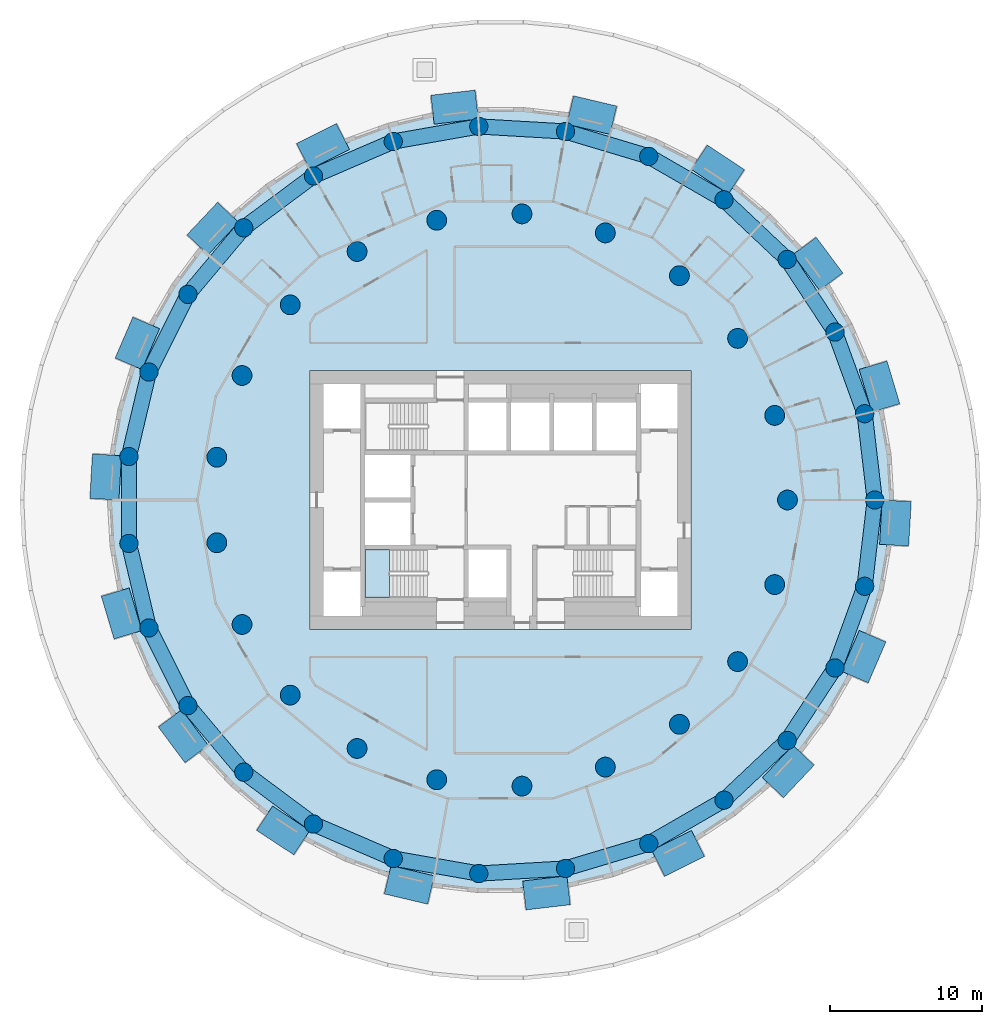
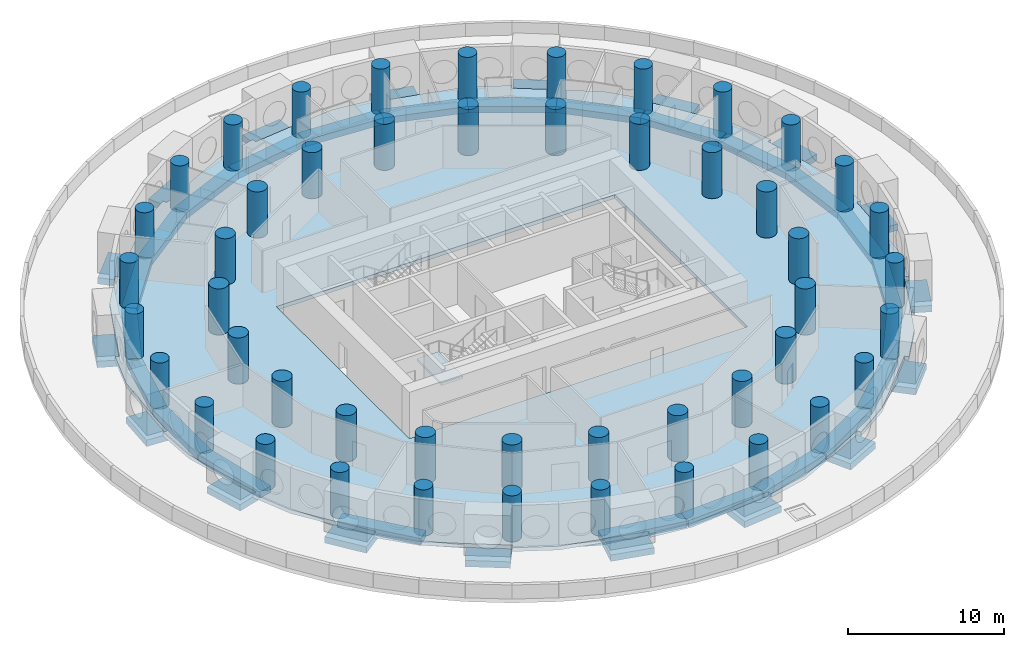
# One storey, part 1 of 13: 48 columns, 45 beams, 2 slabs, 1 element without a shape of its own.
"""IFC4 building model written with IfcOpenShell, lengths in metres."""

from ifc_helpers import new_model, si_unit, direction, frame, origin, origin_2d, place, context, subcontext, project, spatial, polyline, rectangle, circle, outline, extrude, material, layer, layer_set, material_profile, profile_set, type_object, element, aggregate, save


model = new_model("IFC4")

# Units and contexts
model_context = context("Model", 3, precision=1e-05, world=origin(), true_north=direction((0.0, 1.0)))
body_context = subcontext(model_context, "Body", "Model", "MODEL_VIEW")
ifc_project = project(units=[si_unit("LENGTHUNIT", "METRE"), si_unit("AREAUNIT", "SQUARE_METRE"), si_unit("VOLUMEUNIT", "CUBIC_METRE"), si_unit("PLANEANGLEUNIT", "RADIAN"), si_unit("MASSUNIT", "GRAM", prefix="KILO")], contexts=[model_context])

# Site, building, storey
site_placement = place(None, origin())
site = spatial("IfcSite", under=ifc_project, at=site_placement, CompositionType="ELEMENT")
building_placement = place(site_placement, origin())
building = spatial("IfcBuilding", under=site, at=building_placement, Name="Tracery Tower", CompositionType="ELEMENT")
storey_placement = place(building_placement, frame((0.0, 0.0, 126.0)))
storey = spatial("IfcBuildingStorey", under=building, at=storey_placement, Name="L31", CompositionType="ELEMENT", Elevation=126.0)

# Columns
ifc_material_1 = material(Name="Concrete C50/60", Category="concrete")
ifc_material_profile_1 = material_profile(ifc_material_1, circle(Radius=0.60009765625, at=origin_2d()), Name="RC D1200")
ifc_profile_set_1 = profile_set([ifc_material_profile_1], Name="Concrete C50/60")
column_type_1 = type_object("IfcColumnType", Name="Ring 1 column 1200", PredefinedType="COLUMN", material=ifc_profile_set_1)
for number, where, z_axis, x_axis, name in (
    (1, (24.547607421875, 0.0, 0.0), (0.0, 0.0, 1.0), (1.0, 0.0, 0.0), "Ring 1 column 00 at L31"),
    (2, (23.885986328125, 5.6611328125, 0.0), (0.0, 0.0, 1.0), (1.0, 0.0, 0.0), "Ring 1 column 01 at L31"),
    (3, (21.9365234375, 11.01708984375, 0.0), (0.0, 0.0, 1.0), (1.0, 0.0, 0.0), "Ring 1 column 02 at L31"),
    (4, (18.8046875, 15.779052734375, 0.0), (0.0, 0.0, 1.0), (1.0, 0.0, 0.0), "Ring 1 column 03 at L31"),
    (5, (14.658935546875, 19.690185546875, 0.0), (0.0, 0.0, 1.0), (1.0, 0.0, 0.0), "Ring 1 column 04 at L31"),
    (6, (9.722900390625, 22.5400390625, 0.0), (0.0, 0.0, 1.0), (1.0, 0.0, 0.0), "Ring 1 column 05 at L31"),
    (7, (4.2626953125, 24.1748046875, 0.0), (0.0, 0.0, 1.0), (1.0, 0.0, 0.0), "Ring 1 column 06 at L31"),
    (8, (-1.42724609375, 24.506103515625, 0.0), (0.0, 0.0, 1.0), (1.0, 0.0, 0.0), "Ring 1 column 07 at L31"),
    (9, (-7.040283203125, 23.516357421875, 0.0), (0.0, 0.0, 1.0), (1.0, 0.0, 0.0), "Ring 1 column 08 at L31"),
    (10, (-12.273681640625, 21.2587890625, 0.0), (0.0, 0.0, 1.0), (1.0, 0.0, 0.0), "Ring 1 column 09 at L31"),
    (11, (-16.845703125, 17.855224609375, 0.0), (0.0, 0.0, 1.0), (1.0, 0.0, 0.0), "Ring 1 column 10 at L31"),
    (12, (-20.50927734375, 13.4892578125, 0.0), (0.0, 0.0, 1.0), (1.0, 0.0, 0.0), "Ring 1 column 11 at L31"),
    (13, (-23.0673828125, 8.395751953125, 0.0), (0.0, 0.0, 1.0), (1.0, 0.0, 0.0), "Ring 1 column 12 at L31"),
    (14, (-24.381591796875, 2.849853515625, 0.0), (0.0, 0.0, 1.0), (1.0, 0.0, 0.0), "Ring 1 column 13 at L31"),
    (15, (-24.381591796875, -2.849853515625, 0.0), (0.0, 0.0, 1.0), (1.0, 0.0, 0.0), "Ring 1 column 14 at L31"),
    (16, (-23.0673828125, -8.395751953125, 0.0), (0.0, 0.0, 1.0), (1.0, 0.0, 0.0), "Ring 1 column 15 at L31"),
    (17, (-20.50927734375, -13.4892578125, 0.0), (0.0, 0.0, 1.0), (1.0, 0.0, 0.0), "Ring 1 column 16 at L31"),
    (18, (-16.845703125, -17.85546875, 0.0), (0.0, 0.0, 1.0), (1.0, 0.0, 0.0), "Ring 1 column 17 at L31"),
    (19, (-12.27392578125, -21.2587890625, 0.0), (0.0, 0.0, 1.0), (1.0, 0.0, 0.0), "Ring 1 column 18 at L31"),
    (20, (-7.040283203125, -23.516357421875, 0.0), (0.0, 0.0, 1.0), (1.0, 0.0, 0.0), "Ring 1 column 19 at L31"),
    (21, (-1.42724609375, -24.506103515625, 0.0), (0.0, 0.0, 1.0), (1.0, 0.0, 0.0), "Ring 1 column 20 at L31"),
    (22, (4.2626953125, -24.1748046875, 0.0), (0.0, 0.0, 1.0), (1.0, 0.0, 0.0), "Ring 1 column 21 at L31"),
    (23, (9.722900390625, -22.5400390625, 0.0), (0.0, 0.0, 1.0), (1.0, 0.0, 0.0), "Ring 1 column 22 at L31"),
    (24, (14.658935546875, -19.690185546875, 0.0), (0.0, 0.0, 1.0), (1.0, 0.0, 0.0), "Ring 1 column 23 at L31"),
    (25, (18.8046875, -15.779052734375, 0.0), (0.0, 0.0, 1.0), (1.0, 0.0, 0.0), "Ring 1 column 24 at L31"),
    (26, (21.9365234375, -11.01708984375, 0.0), (0.0, 0.0, 1.0), (1.0, 0.0, 0.0), "Ring 1 column 25 at L31"),
    (27, (23.885986328125, -5.6611328125, 0.0), (0.0, 0.0, 1.0), (1.0, 0.0, 0.0), "Ring 1 column 26 at L31"),
):
    element("IfcColumn", number, at=place(storey_placement, frame(where, z_axis=z_axis, x_axis=x_axis)), inside=storey, type_object=column_type_1, Name=name, PredefinedType="COLUMN", context=body_context, shape_type="SweptSolid", body=[
        extrude(circle(Radius=0.60009765625, at=origin_2d()), origin(), (0.0, 0.0, 1.0), 3.60009765625),
    ])
ifc_material_2 = material(Name="Concrete C50/60", Category="concrete")
ifc_material_profile_2 = material_profile(ifc_material_2, circle(Radius=0.64990234375, at=origin_2d()), Name="RC D1300")
ifc_profile_set_2 = profile_set([ifc_material_profile_2], Name="Concrete C50/60")
column_type_2 = type_object("IfcColumnType", Name="Ring 2 column 1300", PredefinedType="COLUMN", material=ifc_profile_set_2)
for number, where, z_axis, x_axis, name in (
    (28, (18.822265625, 0.0, 0.0), (0.0, 0.0, 1.0), (1.0, 0.0, 0.0), "Ring 2 column 00 at L31"),
    (29, (17.986083984375, 5.5478515625, 0.0), (0.0, 0.0, 1.0), (1.0, 0.0, 0.0), "Ring 2 column 01 at L31"),
    (30, (15.551513671875, 10.602783203125, 0.0), (0.0, 0.0, 1.0), (1.0, 0.0, 0.0), "Ring 2 column 02 at L31"),
    (31, (11.7353515625, 14.7158203125, 0.0), (0.0, 0.0, 1.0), (1.0, 0.0, 0.0), "Ring 2 column 03 at L31"),
    (32, (6.87646484375, 17.52099609375, 0.0), (0.0, 0.0, 1.0), (1.0, 0.0, 0.0), "Ring 2 column 04 at L31"),
    (33, (1.406494140625, 18.76953125, 0.0), (0.0, 0.0, 1.0), (1.0, 0.0, 0.0), "Ring 2 column 05 at L31"),
    (34, (-4.188232421875, 18.350341796875, 0.0), (0.0, 0.0, 1.0), (1.0, 0.0, 0.0), "Ring 2 column 06 at L31"),
    (35, (-9.4111328125, 16.300537109375, 0.0), (0.0, 0.0, 1.0), (1.0, 0.0, 0.0), "Ring 2 column 07 at L31"),
    (36, (-13.797607421875, 12.802490234375, 0.0), (0.0, 0.0, 1.0), (1.0, 0.0, 0.0), "Ring 2 column 08 at L31"),
    (37, (-16.958251953125, 8.16650390625, 0.0), (0.0, 0.0, 1.0), (1.0, 0.0, 0.0), "Ring 2 column 09 at L31"),
    (38, (-18.612060546875, 2.805419921875, 0.0), (0.0, 0.0, 1.0), (1.0, 0.0, 0.0), "Ring 2 column 10 at L31"),
    (39, (-18.612060546875, -2.805419921875, 0.0), (0.0, 0.0, 1.0), (1.0, 0.0, 0.0), "Ring 2 column 11 at L31"),
    (40, (-16.958251953125, -8.166748046875, 0.0), (0.0, 0.0, 1.0), (1.0, 0.0, 0.0), "Ring 2 column 12 at L31"),
    (41, (-13.797607421875, -12.80224609375, 0.0), (0.0, 0.0, 1.0), (1.0, 0.0, 0.0), "Ring 2 column 13 at L31"),
    (42, (-9.4111328125, -16.300537109375, 0.0), (0.0, 0.0, 1.0), (1.0, 0.0, 0.0), "Ring 2 column 14 at L31"),
    (43, (-4.188232421875, -18.350341796875, 0.0), (0.0, 0.0, 1.0), (1.0, 0.0, 0.0), "Ring 2 column 15 at L31"),
    (44, (1.406494140625, -18.76953125, 0.0), (0.0, 0.0, 1.0), (1.0, 0.0, 0.0), "Ring 2 column 16 at L31"),
    (45, (6.87646484375, -17.52099609375, 0.0), (0.0, 0.0, 1.0), (1.0, 0.0, 0.0), "Ring 2 column 17 at L31"),
    (46, (11.7353515625, -14.7158203125, 0.0), (0.0, 0.0, 1.0), (1.0, 0.0, 0.0), "Ring 2 column 18 at L31"),
    (47, (15.551513671875, -10.602783203125, 0.0), (0.0, 0.0, 1.0), (1.0, 0.0, 0.0), "Ring 2 column 19 at L31"),
    (48, (17.986083984375, -5.5478515625, 0.0), (0.0, 0.0, 1.0), (1.0, 0.0, 0.0), "Ring 2 column 20 at L31"),
):
    element("IfcColumn", number, at=place(storey_placement, frame(where, z_axis=z_axis, x_axis=x_axis)), inside=storey, type_object=column_type_2, Name=name, PredefinedType="COLUMN", context=body_context, shape_type="SweptSolid", body=[
        extrude(circle(Radius=0.64990234375, at=origin_2d()), origin(), (0.0, 0.0, 1.0), 3.60009765625),
    ])

# Beams
ifc_material_3 = material(Name="Concrete C50/60", Category="concrete")
ifc_material_profile_3 = material_profile(ifc_material_3, rectangle(XDim=1.909912109375, YDim=0.5, at=origin_2d()), Name="RC 1910x500")
ifc_profile_set_3 = profile_set([ifc_material_profile_3], Name="Concrete C50/60")
beam_type_1 = type_object("IfcBeamType", Name="Bay seat beam 1910 x 500", PredefinedType="BEAM", material=ifc_profile_set_3)
beam_1_placement = place(storey_placement, frame((25.277587890625, 6.043701171875, -0.550048828125), z_axis=(-0.286803183854, 0.957989526942, 0.0), x_axis=(-0.957989526942, -0.286803183854, 0.0)))
element("IfcBeam", 49, at=beam_1_placement, inside=storey, type_object=beam_type_1, Name="Bay seat beam 3 at L31", PredefinedType="BEAM", context=body_context, shape_type="SweptSolid", body=[
    extrude(rectangle(XDim=1.909912109375, YDim=0.5, at=origin_2d()), origin(), (0.0, 0.0, 1.0), 2.919677734375),
])
for number, where, z_axis, x_axis, name in (
    (50, (21.686279296875, 14.32470703125, -0.550048828125), (-0.597227237606, 0.802072083208, 0.0), (-0.802072083208, -0.597227237606, 0.0), "Bay seat beam 6 at L31"),
    (51, (15.47900390625, 20.8779296875, -0.550048828125), (-0.83550698432, 0.549479825974, 0.0), (-0.549479825974, -0.83550698432, 0.0), "Bay seat beam 9 at L31"),
    (52, (7.405029296875, 24.912841796875, -0.550048828125), (-0.973049685991, 0.230595551982, 0.0), (-0.230595551982, -0.973049685991, 0.0), "Bay seat beam 12 at L31"),
):
    element("IfcBeam", number, at=place(storey_placement, frame(where, z_axis=z_axis, x_axis=x_axis)), inside=storey, type_object=beam_type_1, Name=name, PredefinedType="BEAM", context=body_context, shape_type="SweptSolid", body=[
        extrude(rectangle(XDim=1.909912109375, YDim=0.5, at=origin_2d()), origin(), (0.0, 0.0, 1.0), 2.919921875),
    ])
beam_2_placement = place(storey_placement, frame((-1.562255859375, 25.943115234375, -0.550048828125), z_axis=(-0.993234239252, -0.11612814464, 0.0), x_axis=(0.11612814464, -0.993234239252, 0.0)))
element("IfcBeam", 53, at=beam_2_placement, inside=storey, type_object=beam_type_1, Name="Bay seat beam 15 at L31", PredefinedType="BEAM", context=body_context, shape_type="SweptSolid", body=[
    extrude(rectangle(XDim=1.909912109375, YDim=0.5, at=origin_2d()), origin(), (0.0, 0.0, 1.0), 2.920166015625),
])
for number, where, z_axis, x_axis, name in (
    (54, (-10.34130859375, 23.84423828125, -0.550048828125), (-0.893623094924, -0.448818186148, 0.0), (0.448818186148, -0.893623094924, 0.0), "Bay seat beam 18 at L31"),
    (55, (-17.872802734375, 18.869384765625, -0.550048828125), (-0.686196220404, -0.727416488061, 0.0), (0.727416488061, -0.686196220404, 0.0), "Bay seat beam 21 at L31"),
    (56, (-23.24853515625, 11.618408203125, -0.550048828125), (-0.39606761336, -0.918221348939, 0.0), (0.918221348939, -0.39606761336, 0.0), "Bay seat beam 24 at L31"),
    (57, (-25.8203125, 2.96630859375, -0.550048828125), (-0.058109347222, -0.998310224212, 0.0), (0.998310224212, -0.058109347222, 0.0), "Bay seat beam 27 at L31"),
):
    element("IfcBeam", number, at=place(storey_placement, frame(where, z_axis=z_axis, x_axis=x_axis)), inside=storey, type_object=beam_type_1, Name=name, PredefinedType="BEAM", context=body_context, shape_type="SweptSolid", body=[
        extrude(rectangle(XDim=1.909912109375, YDim=0.5, at=origin_2d()), origin(), (0.0, 0.0, 1.0), 2.919921875),
    ])
beam_3_placement = place(storey_placement, frame((-25.277587890625, -6.043701171875, -0.550048828125), z_axis=(0.286803183854, -0.957989526942, 0.0), x_axis=(0.957989526942, 0.286803183854, 0.0)))
element("IfcBeam", 58, at=beam_3_placement, inside=storey, type_object=beam_type_1, Name="Bay seat beam 30 at L31", PredefinedType="BEAM", context=body_context, shape_type="SweptSolid", body=[
    extrude(rectangle(XDim=1.909912109375, YDim=0.5, at=origin_2d()), origin(), (0.0, 0.0, 1.0), 2.919677734375),
])
for number, where, z_axis, x_axis, name in (
    (59, (-21.686279296875, -14.32470703125, -0.550048828125), (0.597227237606, -0.802072083208, 0.0), (0.802072083208, 0.597227237606, 0.0), "Bay seat beam 33 at L31"),
    (60, (-15.47900390625, -20.8779296875, -0.550048828125), (0.83550698432, -0.549479825974, 0.0), (0.549479825974, 0.83550698432, 0.0), "Bay seat beam 36 at L31"),
    (61, (-7.405029296875, -24.912841796875, -0.550048828125), (0.973049685991, -0.230595551982, 0.0), (0.230595551982, 0.973049685991, 0.0), "Bay seat beam 39 at L31"),
):
    element("IfcBeam", number, at=place(storey_placement, frame(where, z_axis=z_axis, x_axis=x_axis)), inside=storey, type_object=beam_type_1, Name=name, PredefinedType="BEAM", context=body_context, shape_type="SweptSolid", body=[
        extrude(rectangle(XDim=1.909912109375, YDim=0.5, at=origin_2d()), origin(), (0.0, 0.0, 1.0), 2.919921875),
    ])
beam_4_placement = place(storey_placement, frame((1.562255859375, -25.943115234375, -0.550048828125), z_axis=(0.993234239252, 0.11612814464, 0.0), x_axis=(-0.11612814464, 0.993234239252, 0.0)))
element("IfcBeam", 62, at=beam_4_placement, inside=storey, type_object=beam_type_1, Name="Bay seat beam 42 at L31", PredefinedType="BEAM", context=body_context, shape_type="SweptSolid", body=[
    extrude(rectangle(XDim=1.909912109375, YDim=0.5, at=origin_2d()), origin(), (0.0, 0.0, 1.0), 2.920166015625),
])
for number, where, z_axis, x_axis, name in (
    (63, (10.34130859375, -23.84423828125, -0.550048828125), (0.893623094924, 0.448818186148, 0.0), (-0.448818186148, 0.893623094924, 0.0), "Bay seat beam 45 at L31"),
    (64, (17.872802734375, -18.869384765625, -0.550048828125), (0.686196220404, 0.727416488061, 0.0), (-0.727416488061, 0.686196220404, 0.0), "Bay seat beam 48 at L31"),
    (65, (23.24853515625, -11.618408203125, -0.550048828125), (0.39606761336, 0.918221348939, 0.0), (-0.918221348939, 0.39606761336, 0.0), "Bay seat beam 51 at L31"),
    (66, (25.8203125, -2.96630859375, -0.550048828125), (0.058109347222, 0.998310224212, 0.0), (-0.998310224212, 0.058109347222, 0.0), "Bay seat beam 54 at L31"),
):
    element("IfcBeam", number, at=place(storey_placement, frame(where, z_axis=z_axis, x_axis=x_axis)), inside=storey, type_object=beam_type_1, Name=name, PredefinedType="BEAM", context=body_context, shape_type="SweptSolid", body=[
        extrude(rectangle(XDim=1.909912109375, YDim=0.5, at=origin_2d()), origin(), (0.0, 0.0, 1.0), 2.919921875),
    ])
ifc_material_4 = material(Name="Concrete C50/60", Category="concrete")
ifc_material_profile_4 = material_profile(ifc_material_4, rectangle(XDim=1.0, YDim=0.5, at=origin_2d()), Name="RC 1000x500")
ifc_profile_set_4 = profile_set([ifc_material_profile_4], Name="Concrete C50/60")
beam_type_2 = type_object("IfcBeamType", Name="Perimeter band beam 1000x500", PredefinedType="BEAM", material=ifc_profile_set_4)
for number, where, z_axis, x_axis, name in (
    (67, (24.547607421875, 0.0, -0.550048828125), (-0.116080723252, 0.993239782575, 0.0), (-0.993239782575, -0.116080723252, 0.0), "Perimeter beam 1.00 under L31"),
    (68, (23.885986328125, 5.6611328125, -0.550048828125), (-0.342028502279, 0.939689578334, 0.0), (-0.939689578334, -0.342028502279, 0.0), "Perimeter beam 1.01 under L31"),
):
    element("IfcBeam", number, at=place(storey_placement, frame(where, z_axis=z_axis, x_axis=x_axis)), inside=storey, type_object=beam_type_2, Name=name, PredefinedType="BEAM", context=body_context, shape_type="SweptSolid", body=[
        extrude(rectangle(XDim=1.0, YDim=0.5, at=origin_2d()), origin(), (0.0, 0.0, 1.0), 5.69970703125),
    ])
for number, where, z_axis, x_axis, name in (
    (69, (21.9365234375, 11.01708984375, -0.550048828125), (-0.549489832182, 0.835500403548, 0.0), (-0.835500403548, -0.549489832182, 0.0), "Perimeter beam 1.02 under L31"),
    (70, (18.8046875, 15.779052734375, -0.550048828125), (-0.727389618263, 0.686224703172, 0.0), (-0.686224703172, -0.727389618263, 0.0), "Perimeter beam 1.03 under L31"),
):
    element("IfcBeam", number, at=place(storey_placement, frame(where, z_axis=z_axis, x_axis=x_axis)), inside=storey, type_object=beam_type_2, Name=name, PredefinedType="BEAM", context=body_context, shape_type="SweptSolid", body=[
        extrude(rectangle(XDim=1.0, YDim=0.5, at=origin_2d()), origin(), (0.0, 0.0, 1.0), 5.699462890625),
    ])
for number, where, z_axis, x_axis, name in (
    (71, (14.658935546875, 19.690185546875, -0.550048828125), (-0.866022950691, 0.500004248858, 0.0), (-0.500004248858, -0.866022950691, 0.0), "Perimeter beam 1.04 under L31"),
    (72, (9.722900390625, 22.5400390625, -0.550048828125), (-0.957985292634, 0.28681732705, 0.0), (-0.28681732705, -0.957985292634, 0.0), "Perimeter beam 1.05 under L31"),
):
    element("IfcBeam", number, at=place(storey_placement, frame(where, z_axis=z_axis, x_axis=x_axis)), inside=storey, type_object=beam_type_2, Name=name, PredefinedType="BEAM", context=body_context, shape_type="SweptSolid", body=[
        extrude(rectangle(XDim=1.0, YDim=0.5, at=origin_2d()), origin(), (0.0, 0.0, 1.0), 5.69970703125),
    ])
beam_5_placement = place(storey_placement, frame((4.2626953125, 24.1748046875, -0.550048828125), z_axis=(-0.99830920221, 0.058126902403, 0.0), x_axis=(-0.058126902403, -0.99830920221, 0.0)))
element("IfcBeam", 73, at=beam_5_placement, inside=storey, type_object=beam_type_2, Name="Perimeter beam 1.06 under L31", PredefinedType="BEAM", context=body_context, shape_type="SweptSolid", body=[
    extrude(rectangle(XDim=1.0, YDim=0.5, at=origin_2d()), origin(), (0.0, 0.0, 1.0), 5.699462890625),
])
beam_6_placement = place(storey_placement, frame((-1.42724609375, 24.506103515625, -0.550048828125), z_axis=(-0.984807266719, -0.173650935552, 0.0), x_axis=(0.173650935552, -0.984807266719, 0.0)))
element("IfcBeam", 74, at=beam_6_placement, inside=storey, type_object=beam_type_2, Name="Perimeter beam 1.07 under L31", PredefinedType="BEAM", context=body_context, shape_type="SweptSolid", body=[
    extrude(rectangle(XDim=1.0, YDim=0.5, at=origin_2d()), origin(), (0.0, 0.0, 1.0), 5.69970703125),
])
beam_7_placement = place(storey_placement, frame((-7.040283203125, 23.516357421875, -0.550048828125), z_axis=(-0.918209685525, -0.396094652083, 0.0), x_axis=(0.396094652083, -0.918209685525, 0.0)))
element("IfcBeam", 75, at=beam_7_placement, inside=storey, type_object=beam_type_2, Name="Perimeter beam 1.08 under L31", PredefinedType="BEAM", context=body_context, shape_type="SweptSolid", body=[
    extrude(rectangle(XDim=1.0, YDim=0.5, at=origin_2d()), origin(), (0.0, 0.0, 1.0), 5.699462890625),
])
beam_8_placement = place(storey_placement, frame((-12.273681640625, 21.2587890625, -0.550048828125), z_axis=(-0.802138271299, -0.59713833717, 0.0), x_axis=(0.59713833717, -0.802138271299, 0.0)))
element("IfcBeam", 76, at=beam_8_placement, inside=storey, type_object=beam_type_2, Name="Perimeter beam 1.09 under L31", PredefinedType="BEAM", context=body_context, shape_type="SweptSolid", body=[
    extrude(rectangle(XDim=1.0, YDim=0.5, at=origin_2d()), origin(), (0.0, 0.0, 1.0), 5.69970703125),
])
beam_9_placement = place(storey_placement, frame((-16.845703125, 17.855224609375, -0.550048828125), z_axis=(-0.642797194343, -0.766036400535, 0.0), x_axis=(0.766036400535, -0.642797194343, 0.0)))
element("IfcBeam", 77, at=beam_9_placement, inside=storey, type_object=beam_type_2, Name="Perimeter beam 1.10 under L31", PredefinedType="BEAM", context=body_context, shape_type="SweptSolid", body=[
    extrude(rectangle(XDim=1.0, YDim=0.5, at=origin_2d()), origin(), (0.0, 0.0, 1.0), 5.699462890625),
])
beam_10_placement = place(storey_placement, frame((-20.50927734375, 13.4892578125, -0.550048828125), z_axis=(-0.448806280933, -0.893629074166, 0.0), x_axis=(0.893629074166, -0.448806280933, 0.0)))
element("IfcBeam", 78, at=beam_10_placement, inside=storey, type_object=beam_type_2, Name="Perimeter beam 1.11 under L31", PredefinedType="BEAM", context=body_context, shape_type="SweptSolid", body=[
    extrude(rectangle(XDim=1.0, YDim=0.5, at=origin_2d()), origin(), (0.0, 0.0, 1.0), 5.69970703125),
])
beam_11_placement = place(storey_placement, frame((-23.0673828125, 8.395751953125, -0.550048828125), z_axis=(-0.230583793756, -0.973052472407, 0.0), x_axis=(0.973052472407, -0.230583793756, 0.0)))
element("IfcBeam", 79, at=beam_11_placement, inside=storey, type_object=beam_type_2, Name="Perimeter beam 1.12 under L31", PredefinedType="BEAM", context=body_context, shape_type="SweptSolid", body=[
    extrude(rectangle(XDim=1.0, YDim=0.5, at=origin_2d()), origin(), (0.0, 0.0, 1.0), 5.699462890625),
])
beam_12_placement = place(storey_placement, frame((-24.381591796875, 2.849853515625, -0.550048828125), z_axis=(0.0, -1.0, 0.0), x_axis=(1.0, 0.0, 0.0)))
element("IfcBeam", 80, at=beam_12_placement, inside=storey, type_object=beam_type_2, Name="Perimeter beam 1.13 under L31", PredefinedType="BEAM", context=body_context, shape_type="SweptSolid", body=[
    extrude(rectangle(XDim=1.0, YDim=0.5, at=origin_2d()), origin(), (0.0, 0.0, 1.0), 5.69970703125),
])
beam_13_placement = place(storey_placement, frame((-24.381591796875, -2.849853515625, -0.550048828125), z_axis=(0.230583793756, -0.973052472407, 0.0), x_axis=(0.973052472407, 0.230583793756, 0.0)))
element("IfcBeam", 81, at=beam_13_placement, inside=storey, type_object=beam_type_2, Name="Perimeter beam 1.14 under L31", PredefinedType="BEAM", context=body_context, shape_type="SweptSolid", body=[
    extrude(rectangle(XDim=1.0, YDim=0.5, at=origin_2d()), origin(), (0.0, 0.0, 1.0), 5.699462890625),
])
for number, where, z_axis, x_axis, name in (
    (82, (-23.0673828125, -8.395751953125, -0.550048828125), (0.448806280933, -0.893629074166, 0.0), (0.893629074166, 0.448806280933, 0.0), "Perimeter beam 1.15 under L31"),
    (83, (-20.50927734375, -13.4892578125, -0.550048828125), (0.64277610208, -0.766054099, 0.0), (0.766054099, 0.64277610208, 0.0), "Perimeter beam 1.16 under L31"),
):
    element("IfcBeam", number, at=place(storey_placement, frame(where, z_axis=z_axis, x_axis=x_axis)), inside=storey, type_object=beam_type_2, Name=name, PredefinedType="BEAM", context=body_context, shape_type="SweptSolid", body=[
        extrude(rectangle(XDim=1.0, YDim=0.5, at=origin_2d()), origin(), (0.0, 0.0, 1.0), 5.69970703125),
    ])
beam_14_placement = place(storey_placement, frame((-16.845703125, -17.85546875, -0.550048828125), z_axis=(0.802143514942, -0.597131293298, 0.0), x_axis=(0.597131293298, 0.802143514942, 0.0)))
element("IfcBeam", 84, at=beam_14_placement, inside=storey, type_object=beam_type_2, Name="Perimeter beam 1.17 under L31", PredefinedType="BEAM", context=body_context, shape_type="SweptSolid", body=[
    extrude(rectangle(XDim=1.0, YDim=0.5, at=origin_2d()), origin(), (0.0, 0.0, 1.0), 5.699462890625),
])
for number, where, z_axis, x_axis, name in (
    (85, (-12.27392578125, -21.2587890625, -0.550048828125), (0.918216405543, -0.39607907366, 0.0), (0.39607907366, 0.918216405543, 0.0), "Perimeter beam 1.18 under L31"),
    (86, (-7.040283203125, -23.516357421875, -0.550048828125), (0.984807266719, -0.173650935552, 0.0), (0.173650935552, 0.984807266719, 0.0), "Perimeter beam 1.19 under L31"),
):
    element("IfcBeam", number, at=place(storey_placement, frame(where, z_axis=z_axis, x_axis=x_axis)), inside=storey, type_object=beam_type_2, Name=name, PredefinedType="BEAM", context=body_context, shape_type="SweptSolid", body=[
        extrude(rectangle(XDim=1.0, YDim=0.5, at=origin_2d()), origin(), (0.0, 0.0, 1.0), 5.69970703125),
    ])
beam_15_placement = place(storey_placement, frame((-1.42724609375, -24.506103515625, -0.550048828125), z_axis=(0.99830920221, 0.058126902403, 0.0), x_axis=(-0.058126902403, 0.99830920221, 0.0)))
element("IfcBeam", 87, at=beam_15_placement, inside=storey, type_object=beam_type_2, Name="Perimeter beam 1.20 under L31", PredefinedType="BEAM", context=body_context, shape_type="SweptSolid", body=[
    extrude(rectangle(XDim=1.0, YDim=0.5, at=origin_2d()), origin(), (0.0, 0.0, 1.0), 5.699462890625),
])
for number, where, z_axis, x_axis, name in (
    (88, (4.2626953125, -24.1748046875, -0.550048828125), (0.957985292634, 0.28681732705, 0.0), (-0.28681732705, 0.957985292634, 0.0), "Perimeter beam 1.21 under L31"),
    (89, (9.722900390625, -22.5400390625, -0.550048828125), (0.866022950691, 0.500004248858, 0.0), (-0.500004248858, 0.866022950691, 0.0), "Perimeter beam 1.22 under L31"),
):
    element("IfcBeam", number, at=place(storey_placement, frame(where, z_axis=z_axis, x_axis=x_axis)), inside=storey, type_object=beam_type_2, Name=name, PredefinedType="BEAM", context=body_context, shape_type="SweptSolid", body=[
        extrude(rectangle(XDim=1.0, YDim=0.5, at=origin_2d()), origin(), (0.0, 0.0, 1.0), 5.69970703125),
    ])
for number, where, z_axis, x_axis, name in (
    (90, (14.658935546875, -19.690185546875, -0.550048828125), (0.727389618263, 0.686224703172, 0.0), (-0.686224703172, 0.727389618263, 0.0), "Perimeter beam 1.23 under L31"),
    (91, (18.8046875, -15.779052734375, -0.550048828125), (0.549489832182, 0.835500403548, 0.0), (-0.835500403548, 0.549489832182, 0.0), "Perimeter beam 1.24 under L31"),
):
    element("IfcBeam", number, at=place(storey_placement, frame(where, z_axis=z_axis, x_axis=x_axis)), inside=storey, type_object=beam_type_2, Name=name, PredefinedType="BEAM", context=body_context, shape_type="SweptSolid", body=[
        extrude(rectangle(XDim=1.0, YDim=0.5, at=origin_2d()), origin(), (0.0, 0.0, 1.0), 5.699462890625),
    ])
for number, where, z_axis, x_axis, name in (
    (92, (21.9365234375, -11.01708984375, -0.550048828125), (0.342028502279, 0.939689578334, 0.0), (-0.939689578334, 0.342028502279, 0.0), "Perimeter beam 1.25 under L31"),
    (93, (23.885986328125, -5.6611328125, -0.550048828125), (0.116080723252, 0.993239782575, 0.0), (-0.993239782575, 0.116080723252, 0.0), "Perimeter beam 1.26 under L31"),
):
    element("IfcBeam", number, at=place(storey_placement, frame(where, z_axis=z_axis, x_axis=x_axis)), inside=storey, type_object=beam_type_2, Name=name, PredefinedType="BEAM", context=body_context, shape_type="SweptSolid", body=[
        extrude(rectangle(XDim=1.0, YDim=0.5, at=origin_2d()), origin(), (0.0, 0.0, 1.0), 5.69970703125),
    ])

# Slab
ifc_material_5 = material(Name="Concrete C40/50", Category="concrete")
ifc_layer_1 = layer(ifc_material_5, 0.300048828125)
ifc_layer_set_1 = layer_set([ifc_layer_1], Name="Floor slab 300")
slab_type_1 = type_object("IfcSlabType", Name="Floor slab 300", PredefinedType="FLOOR", material=ifc_layer_set_1)
slab_1_placement = place(storey_placement, frame((0.0, 0.0, -0.300048828125)))
element("IfcSlab", 94, at=slab_1_placement, inside=storey, type_object=slab_type_1, Name="Floor slab L31", PredefinedType="FLOOR", context=body_context, shape_type="SweptSolid", body=[
    extrude(outline(polyline([(24.809814453125, 5.8798828125), (24.694580078125, 6.265380859375), (23.95947265625, 8.720703125), (23.95947265625, 8.720703125), (23.95458984375, 8.7373046875), (24.241943359375, 8.8232421875), (23.0537109375, 11.577880859375), (21.302490234375, 14.010986328125), (20.657958984375, 14.876953125), (19.521484375, 16.4033203125), (19.76220703125, 16.58251953125), (17.70361328125, 18.7646484375), (15.227294921875, 20.450927734375), (13.4443359375, 21.623779296875), (12.74853515625, 22.081298828125), (12.74853515625, 22.081298828125), (12.73388671875, 22.0908203125), (12.89892578125, 22.341552734375), (10.218017578125, 23.68798828125), (7.312744140625, 24.426025390625), (4.427490234375, 25.10986328125), (4.427490234375, 25.10986328125), (4.410400390625, 25.114013671875), (4.4794921875, 25.4052734375), (4.479736328125, 25.40576171875), (1.5, 25.754150390625), (-1.47998046875, 25.454345703125), (-3.055908203125, 25.27001953125), (-4.427490234375, 25.10986328125), (-4.427490234375, 25.10986328125), (-4.44482421875, 25.10791015625), (-4.479736328125, 25.40576171875), (-7.39892578125, 24.7138671875), (-10.098876953125, 23.411865234375), (-12.74853515625, 22.081298828125), (-12.74853515625, 22.081298828125), (-12.76416015625, 22.073486328125), (-12.89892578125, 22.341552734375), (-15.4052734375, 20.69287109375), (-17.497314453125, 18.5458984375), (-18.208740234375, 17.791748046875), (-19.5439453125, 16.376708984375), (-19.76171875, 16.581787109375), (-19.76220703125, 16.58251953125), (-21.5537109375, 14.176025390625), (-22.78515625, 11.443115234375), (-23.95947265625, 8.720703125), (-23.95947265625, 8.720703125), (-23.96630859375, 8.70458984375), (-24.241455078125, 8.822998046875), (-24.241943359375, 8.8232421875), (-25.102294921875, 5.949462890625), (-25.32470703125, 2.96044921875), (-25.498291015625, -0.017333984375), (-25.797607421875, 0.0), (-25.797607421875, 0.0), (-25.623291015625, -2.994873046875), (-24.809814453125, -5.8798828125), (-24.694580078125, -6.265380859375), (-23.95947265625, -8.720703125), (-23.95947265625, -8.720703125), (-23.95458984375, -8.7373046875), (-24.241943359375, -8.8232421875), (-23.0537109375, -11.577880859375), (-21.302490234375, -14.010986328125), (-20.657958984375, -14.876953125), (-19.521484375, -16.4033203125), (-19.76220703125, -16.58251953125), (-17.70361328125, -18.7646484375), (-15.227294921875, -20.450927734375), (-13.4443359375, -21.623779296875), (-12.74853515625, -22.081298828125), (-12.74853515625, -22.081298828125), (-12.73388671875, -22.0908203125), (-12.89892578125, -22.341552734375), (-10.218017578125, -23.68798828125), (-7.312744140625, -24.426025390625), (-4.427490234375, -25.10986328125), (-4.427490234375, -25.10986328125), (-4.410400390625, -25.114013671875), (-4.4794921875, -25.4052734375), (-4.479736328125, -25.40576171875), (-1.5, -25.754150390625), (1.47998046875, -25.454345703125), (3.055908203125, -25.27001953125), (4.427490234375, -25.10986328125), (4.427490234375, -25.10986328125), (4.44482421875, -25.10791015625), (4.479736328125, -25.40576171875), (7.39892578125, -24.7138671875), (10.098876953125, -23.411865234375), (12.74853515625, -22.081298828125), (12.74853515625, -22.081298828125), (12.76416015625, -22.073486328125), (12.898681640625, -22.341064453125), (12.89892578125, -22.341552734375), (15.4052734375, -20.69287109375), (17.497314453125, -18.5458984375), (18.208740234375, -17.791748046875), (19.5439453125, -16.376708984375), (19.76171875, -16.581787109375), (19.76220703125, -16.58251953125), (21.5537109375, -14.176025390625), (22.78515625, -11.443115234375), (23.95947265625, -8.720703125), (23.95947265625, -8.720703125), (23.96630859375, -8.70458984375), (24.241455078125, -8.822998046875), (24.241943359375, -8.8232421875), (25.102294921875, -5.949462890625), (25.32470703125, -2.96044921875), (25.498291015625, 0.017333984375), (25.797607421875, 0.0), (25.623291015625, 2.994873046875), (24.809814453125, 5.8798828125)]), holes=[polyline([(-12.5, -8.5), (12.5, -8.5), (12.5, 8.5), (-12.5, 8.5), (-12.5, -8.5)])]), origin(), (0.0, 0.0, 1.0), 0.300048828125),
])

# Stair, slab
ifc_material_6 = material(Name="Concrete C32/40", Category="concrete")
stair_type = type_object("IfcStairType", Name="Core stair 22 risers", PredefinedType="HALF_TURN_STAIR", material=ifc_material_6)
stair_placement = place(storey_placement, origin())
stair = element("IfcStair", 95, at=stair_placement, inside=storey, type_object=stair_type, Name="L31 stair ST1", PredefinedType="HALF_TURN_STAIR")
ifc_material_7 = material(Name="Concrete C32/40", Category="concrete")
ifc_layer_2 = layer(ifc_material_7, 0.199951171875)
ifc_layer_set_2 = layer_set([ifc_layer_2], Name="Stair landing slab 200")
slab_type_2 = type_object("IfcSlabType", Name="Stair landing slab 200", PredefinedType="LANDING", material=ifc_layer_set_2)
slab_2_placement = place(storey_placement, frame((0.0, 0.0, 1.60009765625)))
slab_2 = element("IfcSlab", 96, at=slab_2_placement, type_object=slab_type_2, Name="ST1 landing 1", PredefinedType="LANDING", context=body_context, shape_type="SweptSolid", body=[
    extrude(outline(polyline([(-7.29931640625, -3.25), (-8.89990234375, -3.25), (-8.89990234375, -6.39990234375), (-7.29931640625, -6.39990234375), (-7.29931640625, -3.25)])), origin(), (0.0, 0.0, 1.0), 0.199951171875),
])
aggregate(stair, [slab_2])

save(model, "model.ifc")
